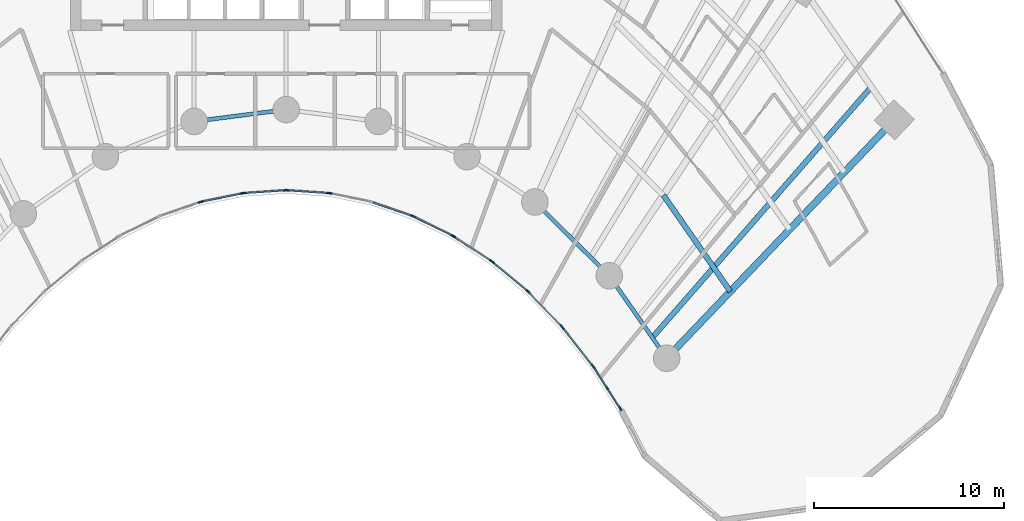
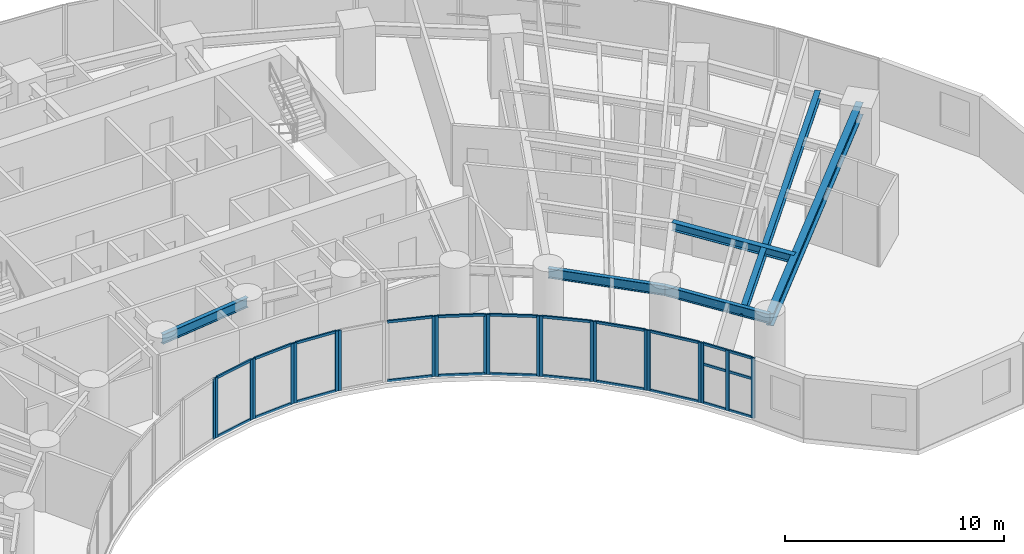
# One storey, part 4 of 17: 46 members, 6 beams, 12 elements without a shape of their own.
"""IFC4 building model written with IfcOpenShell, lengths in metres."""

import ifcopenshell
import ifcopenshell.guid

model = None  # the IFC model being written
_history = None  # IfcOwnerHistory: only IFC2X3 demands one
_inside = {}  # id of a spatial element -> (the spatial element, [elements in it])
_under = {}  # id of a project, library or spatial element -> (it, [spatial elements below it])
_declared = {}  # id of a project -> (the project, [libraries it declares])
_typed = {}  # id of a type object -> (the type object, [elements of that type])
_made_of = {}  # id of a material, layer set ... -> (it, [elements and type objects made of it])


def new_model(schema):
    """Start an empty IFC model of exactly this schema.

    Asked for "IFC4X3", IfcOpenShell would pick the latest addendum, in which some entities
    have other attributes; the version numbers below select the first issue.
    IFC2X3 requires an IfcOwnerHistory on every rooted entity: one is made here for all.
    """
    global model, _history
    if schema == "IFC4X3":
        model = ifcopenshell.file(schema_version=(4, 3, 0, 0))
    else:
        model = ifcopenshell.file(schema=schema)
    _inside.clear()
    _under.clear()
    _declared.clear()
    _typed.clear()
    _made_of.clear()
    _history = None
    if model.schema == "IFC2X3":
        org = make("IfcOrganization", Name="unknown")
        user = make(
            "IfcPersonAndOrganization",
            ThePerson=make("IfcPerson", FamilyName="unknown"),
            TheOrganization=org,
        )
        app = make(
            "IfcApplication",
            ApplicationDeveloper=org,
            Version="unknown",
            ApplicationFullName="unknown",
            ApplicationIdentifier="unknown",
        )
        _history = make(
            "IfcOwnerHistory",
            OwningUser=user,
            OwningApplication=app,
            ChangeAction="ADDED",
            CreationDate=0,
        )
    return model


def make(cls, **values):
    """One entity of the class cls with the attributes given. An attribute that is None is left unset."""
    return model.create_entity(
        cls, **{name: value for name, value in values.items() if value is not None}
    )


def rooted(cls, **values):
    """An entity with a GlobalId (a new one), such as an element, a storey or a relation."""
    return make(cls, GlobalId=ifcopenshell.guid.new(), OwnerHistory=_history, **values)


def si_unit(unit_type, name, prefix=None):
    """IfcSIUnit, for example si_unit("LENGTHUNIT", "METRE", prefix="MILLI")."""
    return make("IfcSIUnit", UnitType=unit_type, Prefix=prefix, Name=name)


def assignment(units):
    """IfcUnitAssignment: the units of a project."""
    return None if units is None else make("IfcUnitAssignment", Units=units)


def point(xyz):
    """IfcCartesianPoint."""
    return None if xyz is None else make("IfcCartesianPoint", Coordinates=xyz)


def direction(xyz):
    """IfcDirection."""
    return None if xyz is None else make("IfcDirection", DirectionRatios=xyz)


def frame(location, z_axis=None, x_axis=None):
    """IfcAxis2Placement3D, a coordinate frame: its origin and axes. An axis left out is left unset."""
    return make(
        "IfcAxis2Placement3D",
        Location=point(location),
        Axis=direction(z_axis),
        RefDirection=direction(x_axis),
    )


def frame_2d(location, x_axis=None):
    """IfcAxis2Placement2D, a coordinate frame in the plane: its origin and x axis."""
    return make(
        "IfcAxis2Placement2D", Location=point(location), RefDirection=direction(x_axis)
    )


def origin():
    """The frame at (0, 0, 0) with its axes left unset."""
    return frame((0.0, 0.0, 0.0))


def origin_2d():
    """The frame at (0, 0) in the plane with its x axis left unset."""
    return frame_2d((0.0, 0.0))


def place(relative_to, where):
    """IfcLocalPlacement: puts the frame where relative to a parent placement (None: the world)."""
    return make(
        "IfcLocalPlacement", PlacementRelTo=relative_to, RelativePlacement=where
    )


def context(
    kind, dimensions, precision=None, world=None, true_north=None, identifier=None
):
    """IfcGeometricRepresentationContext, for example the 3D "Model" context."""
    return make(
        "IfcGeometricRepresentationContext",
        ContextIdentifier=identifier,
        ContextType=kind,
        CoordinateSpaceDimension=dimensions,
        Precision=precision,
        WorldCoordinateSystem=world,
        TrueNorth=true_north,
    )


def subcontext(parent, identifier, kind, view, scale=None):
    """IfcGeometricRepresentationSubContext, for example "Body" below "Model"."""
    return make(
        "IfcGeometricRepresentationSubContext",
        ContextIdentifier=identifier,
        ContextType=kind,
        ParentContext=parent,
        TargetScale=scale,
        TargetView=view,
    )


def project(units=None, contexts=None):
    """IfcProject with its units and contexts."""
    return rooted(
        "IfcProject",
        Name="project",
        RepresentationContexts=contexts,
        UnitsInContext=assignment(units),
    )


def spatial(cls, under=None, at=None, **own):
    """A site, building, storey or space (cls), placed at a placement, below another one or the project."""
    s = rooted(cls, ObjectPlacement=at, **own)
    if under is not None:
        _under.setdefault(under.id(), (under, []))[1].append(s)
    return s


def profile(cls, at=None, kind="AREA", **sizes):
    """A parametric profile (cls). Its sizes go by their IFC names, for example OverallWidth=200.0."""
    return make(cls, ProfileType=kind, Position=at, **sizes)


def rectangle(**sizes):
    """IfcRectangleProfileDef."""
    return profile("IfcRectangleProfileDef", **sizes)


def i_section(**sizes):
    """IfcIShapeProfileDef."""
    return profile("IfcIShapeProfileDef", **sizes)


def extrude(swept, where, along, depth):
    """IfcExtrudedAreaSolid: the profile swept, set in the frame where, extruded along a direction by depth."""
    return make(
        "IfcExtrudedAreaSolid",
        SweptArea=swept,
        Position=where,
        ExtrudedDirection=direction(along),
        Depth=depth,
    )


def shape(context_of_items, identifier, shape_type, items):
    """IfcShapeRepresentation: the items that make up one representation, for example the "Body"."""
    return make(
        "IfcShapeRepresentation",
        ContextOfItems=context_of_items,
        RepresentationIdentifier=identifier,
        RepresentationType=shape_type,
        Items=items,
    )


def source(mapping_origin, context_of_items, identifier, shape_type, items):
    """IfcRepresentationMap: a shape defined once, which mapped items show again and again."""
    return make(
        "IfcRepresentationMap",
        MappingOrigin=mapping_origin,
        MappedRepresentation=shape(context_of_items, identifier, shape_type, items),
    )


def transform(
    local_origin,
    x_axis=None,
    y_axis=None,
    z_axis=None,
    scale=None,
    scale2=None,
    scale3=None,
    uniform=True,
):
    """IfcCartesianTransformationOperator3D, or its non-uniform kind. x_axis, y_axis, z_axis: its Axis1, 2, 3."""
    if uniform:
        return make(
            "IfcCartesianTransformationOperator3D",
            Axis1=direction(x_axis),
            Axis2=direction(y_axis),
            LocalOrigin=point(local_origin),
            Scale=scale,
            Axis3=direction(z_axis),
        )
    return make(
        "IfcCartesianTransformationOperator3DnonUniform",
        Axis1=direction(x_axis),
        Axis2=direction(y_axis),
        LocalOrigin=point(local_origin),
        Scale=scale,
        Axis3=direction(z_axis),
        Scale2=scale2,
        Scale3=scale3,
    )


def mapped(mapping_source, mapping_target):
    """IfcMappedItem: shows the shape of a source again, moved by a transform."""
    return make(
        "IfcMappedItem", MappingSource=mapping_source, MappingTarget=mapping_target
    )


def material(Name=None, Category=None):
    """IfcMaterial."""
    return make("IfcMaterial", Name=Name, Category=Category)


def layer(
    of_material, thickness, ventilated=None, Name=None, Category=None, Priority=None
):
    """IfcMaterialLayer: one layer of a wall or slab, of a material (None: an air gap)."""
    return make(
        "IfcMaterialLayer",
        Material=of_material,
        LayerThickness=thickness,
        IsVentilated=ventilated,
        Name=Name,
        Category=Category,
        Priority=Priority,
    )


def layer_set(layers, Name=None):
    """IfcMaterialLayerSet."""
    return make("IfcMaterialLayerSet", MaterialLayers=layers, LayerSetName=Name)


def material_profile(
    of_material, cross_section, Name=None, Category=None, Priority=None
):
    """IfcMaterialProfile: a cross section and its material."""
    return make(
        "IfcMaterialProfile",
        Name=Name,
        Material=of_material,
        Profile=cross_section,
        Priority=Priority,
        Category=Category,
    )


def profile_set(profiles, Name=None, composite=None):
    """IfcMaterialProfileSet."""
    return make(
        "IfcMaterialProfileSet",
        Name=Name,
        MaterialProfiles=profiles,
        CompositeProfile=composite,
    )


def made_of(thing, what):
    """Note that an element or type object is made of a material, layer set ...; save() writes the relation."""
    if what is not None:
        _made_of.setdefault(what.id(), (what, []))[1].append(thing)
    return thing


def type_object(cls, material=None, **own):
    """A type object (cls), such as IfcWallType, which elements share."""
    return made_of(rooted(cls, **own), material)


def type_shapes(of_type, sources):
    """Give a type object the sources (RepresentationMaps) that its elements show as mapped items."""
    of_type.RepresentationMaps = sources


def element(
    cls,
    number,
    at=None,
    inside=None,
    cuts=None,
    type_object=None,
    material=None,
    context=None,
    identifier="Body",
    shape_type=None,
    held_by="IfcProductDefinitionShape",
    body=None,
    shapes=None,
    **own,
):
    """One element of the class cls, such as IfcWall. Its Tag is "e" and its number.

    at: its placement. inside: the storey or other place that contains it. cuts: it is an
    opening in that element (IfcRelVoidsElement). A single representation is given by context,
    identifier, shape_type and body (its items); several are given by shapes. held_by: the class
    of the entity that holds the representations. save() writes the other relations.
    """
    e = rooted(cls, Tag="e%d" % number, ObjectPlacement=at, **own)
    if body is not None:
        shapes = [shape(context, identifier, shape_type, body)]
    if shapes is not None:
        e.Representation = make(held_by, Representations=shapes)
    if inside is not None:
        _inside.setdefault(inside.id(), (inside, []))[1].append(e)
    if cuts is not None:
        rooted(
            "IfcRelVoidsElement", RelatingBuildingElement=cuts, RelatedOpeningElement=e
        )
    if type_object is not None:
        _typed.setdefault(type_object.id(), (type_object, []))[1].append(e)
    return made_of(e, material)


def aggregate(whole, parts):
    """IfcRelAggregates: a whole, such as a stair, and the parts it consists of."""
    return rooted("IfcRelAggregates", RelatingObject=whole, RelatedObjects=parts)


def save(model, path):
    """Write the relations noted so far, then the file.

    IfcRelAggregates (storeys below a building ...), IfcRelContainedInSpatialStructure (elements
    in a storey), IfcRelDefinesByType, IfcRelAssociatesMaterial and IfcRelDeclares: one each for
    every whole, place, type object, material and project.
    """
    for whole, parts in _under.values():
        aggregate(whole, parts)
    for where, things in _inside.values():
        rooted(
            "IfcRelContainedInSpatialStructure",
            RelatedElements=things,
            RelatingStructure=where,
        )
    for kind, things in _typed.values():
        rooted("IfcRelDefinesByType", RelatedObjects=things, RelatingType=kind)
    for what, things in _made_of.values():
        rooted("IfcRelAssociatesMaterial", RelatedObjects=things, RelatingMaterial=what)
    for by, libraries in _declared.values():
        rooted("IfcRelDeclares", RelatingContext=by, RelatedDefinitions=libraries)
    model.write(path)


model = new_model("IFC4")

# Units and contexts
model_context = context("Model", 3, precision=1e-05, world=origin(), true_north=direction((0.0, 1.0)))
body_context = subcontext(model_context, "Body", "Model", "MODEL_VIEW")
ifc_project = project(units=[si_unit("LENGTHUNIT", "METRE"), si_unit("AREAUNIT", "SQUARE_METRE"), si_unit("VOLUMEUNIT", "CUBIC_METRE"), si_unit("PLANEANGLEUNIT", "RADIAN"), si_unit("MASSUNIT", "GRAM", prefix="KILO")], contexts=[model_context])

# Site, building, storey
site_placement = place(None, origin())
site = spatial("IfcSite", under=ifc_project, at=site_placement, CompositionType="ELEMENT")
building_placement = place(site_placement, origin())
building = spatial("IfcBuilding", under=site, at=building_placement, Name="Breltana Convention Tower", CompositionType="ELEMENT")
storey_placement = place(building_placement, frame((0.0, 0.0, 64.199951171875)))
storey = spatial("IfcBuildingStorey", under=building, at=storey_placement, Name="L14", CompositionType="ELEMENT", Elevation=64.199951171875)

# Beams
ifc_material_1 = material(Name="Steel ASTM A992 Grade 50", Category="steel")
ifc_material_profile_1 = material_profile(ifc_material_1, i_section(OverallWidth=0.35498046875, OverallDepth=0.696044921875, WebThickness=0.015380859375, FlangeThickness=0.02490234375, at=origin_2d()), Name="W27X146")
ifc_profile_set_1 = profile_set([ifc_material_profile_1], Name="Steel ASTM A992 Grade 50")
beam_type_1 = type_object("IfcBeamType", Name="BM-RG-W27X146", PredefinedType="USERDEFINED", material=ifc_profile_set_1)
shared_shape_1 = source(origin(), body_context, "Body", "SweptSolid", [
    extrude(i_section(OverallWidth=0.35498046875, OverallDepth=0.696044921875, WebThickness=0.015380859375, FlangeThickness=0.02490234375, at=origin_2d()), origin(), (0.0, 0.0, 1.0), 17.341064453125),
])
type_shapes(beam_type_1, [shared_shape_1])
beam_1_placement = place(storey_placement, frame((68.015380859375, 42.95458984375, 3.011962890625), z_axis=(0.690716462293, 0.723125693581, 0.0), x_axis=(-0.723125693581, 0.690716462293, 0.0)))
element("IfcBeam", 1, at=beam_1_placement, inside=storey, type_object=beam_type_1, Name="L14 Radial Floor Girder R11", ObjectType="GIRDER", PredefinedType="USERDEFINED", context=body_context, shape_type="MappedRepresentation", body=[
    mapped(shared_shape_1, transform((0.0, 0.0, 0.0), scale=1.0)),
])
ifc_material_profile_2 = material_profile(ifc_material_1, i_section(OverallWidth=0.2099609375, OverallDepth=0.537109375, WebThickness=0.010986328125, FlangeThickness=0.017333984375, at=origin_2d()), Name="W21X68")
ifc_profile_set_2 = profile_set([ifc_material_profile_2], Name="Steel ASTM A992 Grade 50")
beam_type_2 = type_object("IfcBeamType", Name="BM-BM-W21X68", PredefinedType="BEAM", material=ifc_profile_set_2)
shared_shape_2 = source(origin(), body_context, "Body", "SweptSolid", [
    extrude(i_section(OverallWidth=0.2099609375, OverallDepth=0.537109375, WebThickness=0.010986328125, FlangeThickness=0.017333984375, at=origin_2d()), origin(), (0.0, 0.0, 1.0), 4.88671875),
])
beam_2_placement = place(storey_placement, frame((43.153564453125, 55.41064453125, 3.091552734375), z_axis=(0.991780525565, 0.127950729231, 0.0), x_axis=(-0.127950729231, 0.991780525565, 0.0)))
element("IfcBeam", 2, at=beam_2_placement, inside=storey, type_object=beam_type_2, Name="L14 Inner Ring Beam 05", PredefinedType="BEAM", context=body_context, shape_type="MappedRepresentation", body=[
    mapped(shared_shape_2, transform((0.0, 0.0, 0.0), scale=1.0)),
])
shared_shape_3 = source(origin(), body_context, "Body", "SweptSolid", [
    extrude(i_section(OverallWidth=0.2099609375, OverallDepth=0.537109375, WebThickness=0.010986328125, FlangeThickness=0.017333984375, at=origin_2d()), origin(), (0.0, 0.0, 1.0), 5.51171875),
])
beam_3_placement = place(storey_placement, frame((61.08203125, 51.174560546875, 3.091552734375), z_axis=(0.710090360749, -0.704110559196, 0.0), x_axis=(0.704110559196, 0.710090360749, 0.0)))
element("IfcBeam", 3, at=beam_3_placement, inside=storey, type_object=beam_type_2, Name="L14 Inner Ring Beam 09", PredefinedType="BEAM", context=body_context, shape_type="MappedRepresentation", body=[
    mapped(shared_shape_3, transform((0.0, 0.0, 0.0), scale=1.0)),
])
shared_shape_4 = source(origin(), body_context, "Body", "SweptSolid", [
    extrude(i_section(OverallWidth=0.2099609375, OverallDepth=0.537109375, WebThickness=0.010986328125, FlangeThickness=0.017333984375, at=origin_2d()), origin(), (0.0, 0.0, 1.0), 5.286376953125),
])
beam_4_placement = place(storey_placement, frame((64.995849609375, 47.293701171875, 3.091552734375), z_axis=(0.571194382458, -0.82081482531, 0.0), x_axis=(0.82081482531, 0.571194382458, 0.0)))
element("IfcBeam", 4, at=beam_4_placement, inside=storey, type_object=beam_type_2, Name="L14 Inner Ring Beam 10", PredefinedType="BEAM", context=body_context, shape_type="MappedRepresentation", body=[
    mapped(shared_shape_4, transform((0.0, 0.0, 0.0), scale=1.0)),
])
ifc_material_profile_3 = material_profile(ifc_material_1, i_section(OverallWidth=0.280029296875, OverallDepth=0.462890625, WebThickness=0.0107421875, FlangeThickness=0.017333984375, at=origin_2d()), Name="W18X76")
ifc_profile_set_3 = profile_set([ifc_material_profile_3], Name="Steel ASTM A992 Grade 50")
beam_type_3 = type_object("IfcBeamType", Name="BM-JSG-06", PredefinedType="JOIST", material=ifc_profile_set_3)
shared_shape_5 = source(origin(), body_context, "Body", "SweptSolid", [
    extrude(i_section(OverallWidth=0.280029296875, OverallDepth=0.462890625, WebThickness=0.0107421875, FlangeThickness=0.017333984375, at=origin_2d()), origin(), (0.0, 0.0, 1.0), 6.172119140625),
])
beam_5_placement = place(storey_placement, frame((67.84375, 51.531982421875, 3.128662109375), z_axis=(0.571211663392, -0.820802799462, 0.0), x_axis=(0.820802799462, 0.571211663392, 0.0)))
element("IfcBeam", 5, at=beam_5_placement, inside=storey, type_object=beam_type_3, Name="L14 Composite Floor Joist 10.1", PredefinedType="JOIST", context=body_context, shape_type="MappedRepresentation", body=[
    mapped(shared_shape_5, transform((0.0, 0.0, 0.0), scale=1.0)),
])
shared_shape_6 = source(origin(), body_context, "Body", "SweptSolid", [
    extrude(i_section(OverallWidth=0.280029296875, OverallDepth=0.462890625, WebThickness=0.0107421875, FlangeThickness=0.017333984375, at=origin_2d()), origin(), (0.0, 0.0, 1.0), 17.515625),
])
beam_6_placement = place(storey_placement, frame((67.260498046875, 44.03955078125, 3.128662109375), z_axis=(0.658051548324, 0.752972881151, 0.0), x_axis=(-0.752972881151, 0.658051548324, 0.0)))
element("IfcBeam", 6, at=beam_6_placement, inside=storey, type_object=beam_type_3, Name="L14 Quarter-Bay Radial Trimmer 10", PredefinedType="JOIST", context=body_context, shape_type="MappedRepresentation", body=[
    mapped(shared_shape_6, transform((0.0, 0.0, 0.0), scale=1.0)),
])

# Curtain wall, members
ifc_material_2 = material(Name="Aluminium Anodised Bronze Frame", Category="aluminium")
ifc_layer = layer(ifc_material_2, 0.18994140625, Name="Aluminium Anodised Bronze Frame")
ifc_layer_set = layer_set([ifc_layer], Name="Aluminium Anodised Bronze Frame")
curtain_wall_type = type_object("IfcCurtainWallType", Name="CW-SYS-1", PredefinedType="NOTDEFINED", material=ifc_layer_set)
curtain_wall_1_placement = place(storey_placement, origin())
curtain_wall_1 = element("IfcCurtainWall", 7, at=curtain_wall_1_placement, inside=storey, type_object=curtain_wall_type, Name="L14 inner south-court glazing 3", PredefinedType="NOTDEFINED")
ifc_material_3 = material(Name="Aluminium Anodised Bronze", Category="aluminium")
ifc_material_profile_4 = material_profile(ifc_material_3, rectangle(XDim=0.080078125, YDim=0.139892578125, at=origin_2d()), Name="CWT-80X140")
ifc_profile_set_4 = profile_set([ifc_material_profile_4], Name="Aluminium Anodised Bronze")
member_type_1 = type_object("IfcMemberType", Name="CWT-140", PredefinedType="USERDEFINED", material=ifc_profile_set_4)
shared_shape_7 = source(origin(), body_context, "Body", "SweptSolid", [
    extrude(rectangle(XDim=0.080078125, YDim=0.139892578125, at=origin_2d()), origin(), (0.0, 0.0, 1.0), 2.38720703125),
])
type_shapes(member_type_1, [shared_shape_7])
member_1_placement = place(storey_placement, frame((62.4560546875, 44.667724609375, 0.0400390625), z_axis=(-0.694623715393, 0.719373264734, 0.0), x_axis=(-0.719373264734, -0.694623715393, 0.0)))
member_1 = element("IfcMember", 8, at=member_1_placement, type_object=member_type_1, Name="CW-01 transom 1.1", ObjectType="TRANSOM", PredefinedType="USERDEFINED", context=body_context, shape_type="MappedRepresentation", body=[
    mapped(shared_shape_7, transform((0.0, 0.0, 0.0), scale=1.0)),
])
member_2_placement = place(storey_placement, frame((62.4560546875, 44.667724609375, 3.320068359375), z_axis=(-0.694623715393, 0.719373264734, 0.0), x_axis=(-0.719373264734, -0.694623715393, 0.0)))
member_2 = element("IfcMember", 9, at=member_2_placement, type_object=member_type_1, Name="CW-01 transom 1.2", ObjectType="TRANSOM", PredefinedType="USERDEFINED", context=body_context, shape_type="MappedRepresentation", body=[
    mapped(shared_shape_7, transform((0.0, 0.0, 0.0), scale=1.0)),
])

curtain_wall_2_placement = place(storey_placement, origin())
curtain_wall_2 = element("IfcCurtainWall", 10, at=curtain_wall_2_placement, inside=storey, type_object=curtain_wall_type, Name="L14 inner south-court glazing 4", PredefinedType="NOTDEFINED")
shared_shape_8 = source(origin(), body_context, "Body", "SweptSolid", [
    extrude(rectangle(XDim=0.080078125, YDim=0.139892578125, at=origin_2d()), origin(), (0.0, 0.0, 1.0), 2.312255859375),
])
member_3_placement = place(storey_placement, frame((60.666748046875, 46.5068359375, 0.0400390625), z_axis=(-0.767900974507, 0.640568570374, 0.0), x_axis=(-0.640568570374, -0.767900974507, 0.0)))
member_3 = element("IfcMember", 11, at=member_3_placement, type_object=member_type_1, Name="CW-01 transom 1.1", ObjectType="TRANSOM", PredefinedType="USERDEFINED", context=body_context, shape_type="MappedRepresentation", body=[
    mapped(shared_shape_8, transform((0.0, 0.0, 0.0), scale=1.0)),
])
member_4_placement = place(storey_placement, frame((60.666748046875, 46.5068359375, 3.320068359375), z_axis=(-0.767900974507, 0.640568570374, 0.0), x_axis=(-0.640568570374, -0.767900974507, 0.0)))
member_4 = element("IfcMember", 12, at=member_4_placement, type_object=member_type_1, Name="CW-01 transom 1.2", ObjectType="TRANSOM", PredefinedType="USERDEFINED", context=body_context, shape_type="MappedRepresentation", body=[
    mapped(shared_shape_8, transform((0.0, 0.0, 0.0), scale=1.0)),
])

curtain_wall_3_placement = place(storey_placement, origin())
curtain_wall_3 = element("IfcCurtainWall", 13, at=curtain_wall_3_placement, inside=storey, type_object=curtain_wall_type, Name="L14 inner south-court glazing 5", PredefinedType="NOTDEFINED")
shared_shape_9 = source(origin(), body_context, "Body", "SweptSolid", [
    extrude(rectangle(XDim=0.080078125, YDim=0.139892578125, at=origin_2d()), origin(), (0.0, 0.0, 1.0), 2.2421875),
])
member_5_placement = place(storey_placement, frame((58.746337890625, 48.095458984375, 0.0400390625), z_axis=(-0.835982353773, 0.548756324957, 0.0), x_axis=(-0.548756324957, -0.835982353773, 0.0)))
member_5 = element("IfcMember", 14, at=member_5_placement, type_object=member_type_1, Name="CW-01 transom 1.1", ObjectType="TRANSOM", PredefinedType="USERDEFINED", context=body_context, shape_type="MappedRepresentation", body=[
    mapped(shared_shape_9, transform((0.0, 0.0, 0.0), scale=1.0)),
])
member_6_placement = place(storey_placement, frame((58.746337890625, 48.095458984375, 3.320068359375), z_axis=(-0.835982353773, 0.548756324957, 0.0), x_axis=(-0.548756324957, -0.835982353773, 0.0)))
member_6 = element("IfcMember", 15, at=member_6_placement, type_object=member_type_1, Name="CW-01 transom 1.2", ObjectType="TRANSOM", PredefinedType="USERDEFINED", context=body_context, shape_type="MappedRepresentation", body=[
    mapped(shared_shape_9, transform((0.0, 0.0, 0.0), scale=1.0)),
])

curtain_wall_4_placement = place(storey_placement, origin())
curtain_wall_4 = element("IfcCurtainWall", 16, at=curtain_wall_4_placement, inside=storey, type_object=curtain_wall_type, Name="L14 inner south-court glazing 6", PredefinedType="NOTDEFINED")
shared_shape_10 = source(origin(), body_context, "Body", "SweptSolid", [
    extrude(rectangle(XDim=0.080078125, YDim=0.139892578125, at=origin_2d()), origin(), (0.0, 0.0, 1.0), 2.180908203125),
])
member_7_placement = place(storey_placement, frame((56.71435546875, 49.416015625, 0.0400390625), z_axis=(-0.895922266369, 0.444210865045, 0.0), x_axis=(-0.444210865045, -0.895922266369, 0.0)))
member_7 = element("IfcMember", 17, at=member_7_placement, type_object=member_type_1, Name="CW-01 transom 1.1", ObjectType="TRANSOM", PredefinedType="USERDEFINED", context=body_context, shape_type="MappedRepresentation", body=[
    mapped(shared_shape_10, transform((0.0, 0.0, 0.0), scale=1.0)),
])
member_8_placement = place(storey_placement, frame((56.71435546875, 49.416015625, 3.320068359375), z_axis=(-0.895922266369, 0.444210865045, 0.0), x_axis=(-0.444210865045, -0.895922266369, 0.0)))
member_8 = element("IfcMember", 18, at=member_8_placement, type_object=member_type_1, Name="CW-01 transom 1.2", ObjectType="TRANSOM", PredefinedType="USERDEFINED", context=body_context, shape_type="MappedRepresentation", body=[
    mapped(shared_shape_10, transform((0.0, 0.0, 0.0), scale=1.0)),
])

curtain_wall_5_placement = place(storey_placement, origin())
curtain_wall_5 = element("IfcCurtainWall", 19, at=curtain_wall_5_placement, inside=storey, type_object=curtain_wall_type, Name="L14 inner south-court glazing 9", PredefinedType="NOTDEFINED")
shared_shape_11 = source(origin(), body_context, "Body", "SweptSolid", [
    extrude(rectangle(XDim=0.080078125, YDim=0.139892578125, at=origin_2d()), origin(), (0.0, 0.0, 1.0), 2.07861328125),
])
member_9_placement = place(storey_placement, frame((50.165771484375, 51.6474609375, 0.0400390625), z_axis=(-0.997708627147, 0.067657189691, 0.0), x_axis=(-0.067657189691, -0.997708627147, 0.0)))
member_9 = element("IfcMember", 20, at=member_9_placement, type_object=member_type_1, Name="CW-01 transom 1.1", ObjectType="TRANSOM", PredefinedType="USERDEFINED", context=body_context, shape_type="MappedRepresentation", body=[
    mapped(shared_shape_11, transform((0.0, 0.0, 0.0), scale=1.0)),
])
member_10_placement = place(storey_placement, frame((50.165771484375, 51.6474609375, 3.320068359375), z_axis=(-0.997708627147, 0.067657189691, 0.0), x_axis=(-0.067657189691, -0.997708627147, 0.0)))
member_10 = element("IfcMember", 21, at=member_10_placement, type_object=member_type_1, Name="CW-01 transom 1.2", ObjectType="TRANSOM", PredefinedType="USERDEFINED", context=body_context, shape_type="MappedRepresentation", body=[
    mapped(shared_shape_11, transform((0.0, 0.0, 0.0), scale=1.0)),
])

curtain_wall_6_placement = place(storey_placement, origin())
curtain_wall_6 = element("IfcCurtainWall", 22, at=curtain_wall_6_placement, inside=storey, type_object=curtain_wall_type, Name="L14 inner south-court glazing 10", PredefinedType="NOTDEFINED")
member_11_placement = place(storey_placement, frame((47.907958984375, 51.7880859375, 0.0400390625), z_axis=(-0.997708627147, -0.067657189691, 0.0), x_axis=(0.067657189691, -0.997708627147, 0.0)))
member_11 = element("IfcMember", 23, at=member_11_placement, type_object=member_type_1, Name="CW-01 transom 1.1", ObjectType="TRANSOM", PredefinedType="USERDEFINED", context=body_context, shape_type="MappedRepresentation", body=[
    mapped(shared_shape_11, transform((0.0, 0.0, 0.0), scale=1.0)),
])
member_12_placement = place(storey_placement, frame((47.907958984375, 51.7880859375, 3.320068359375), z_axis=(-0.997708627147, -0.067657189691, 0.0), x_axis=(0.067657189691, -0.997708627147, 0.0)))
member_12 = element("IfcMember", 24, at=member_12_placement, type_object=member_type_1, Name="CW-01 transom 1.2", ObjectType="TRANSOM", PredefinedType="USERDEFINED", context=body_context, shape_type="MappedRepresentation", body=[
    mapped(shared_shape_11, transform((0.0, 0.0, 0.0), scale=1.0)),
])

curtain_wall_7_placement = place(storey_placement, origin())
curtain_wall_7 = element("IfcCurtainWall", 25, at=curtain_wall_7_placement, inside=storey, type_object=curtain_wall_type, Name="L14 inner south-court glazing 2", PredefinedType="NOTDEFINED")
shared_shape_12 = source(origin(), body_context, "Body", "SweptSolid", [
    extrude(rectangle(XDim=0.080078125, YDim=0.139892578125, at=origin_2d()), origin(), (0.0, 0.0, 1.0), 2.4638671875),
])
member_13_placement = place(storey_placement, frame((64.09619140625, 42.5966796875, 0.0400390625), z_axis=(-0.618184689608, 0.786032880695, 0.0), x_axis=(-0.786032880695, -0.618184689608, 0.0)))
member_13 = element("IfcMember", 26, at=member_13_placement, type_object=member_type_1, Name="CW-01 transom 1.1", ObjectType="TRANSOM", PredefinedType="USERDEFINED", context=body_context, shape_type="MappedRepresentation", body=[
    mapped(shared_shape_12, transform((0.0, 0.0, 0.0), scale=1.0)),
])
member_14_placement = place(storey_placement, frame((64.09619140625, 42.5966796875, 3.320068359375), z_axis=(-0.618184689608, 0.786032880695, 0.0), x_axis=(-0.786032880695, -0.618184689608, 0.0)))
member_14 = element("IfcMember", 27, at=member_14_placement, type_object=member_type_1, Name="CW-01 transom 1.2", ObjectType="TRANSOM", PredefinedType="USERDEFINED", context=body_context, shape_type="MappedRepresentation", body=[
    mapped(shared_shape_12, transform((0.0, 0.0, 0.0), scale=1.0)),
])

curtain_wall_8_placement = place(storey_placement, origin())
curtain_wall_8 = element("IfcCurtainWall", 28, at=curtain_wall_8_placement, inside=storey, type_object=curtain_wall_type, Name="L14 inner south-court glazing 1", PredefinedType="NOTDEFINED")
ifc_material_profile_5 = material_profile(ifc_material_3, rectangle(XDim=0.080078125, YDim=0.199951171875, at=origin_2d()), Name="CWM-80X200")
ifc_profile_set_5 = profile_set([ifc_material_profile_5], Name="Aluminium Anodised Bronze")
member_type_2 = type_object("IfcMemberType", Name="CWM-200", PredefinedType="MULLION", material=ifc_profile_set_5)
shared_shape_13 = source(origin(), body_context, "Body", "SweptSolid", [
    extrude(rectangle(XDim=0.080078125, YDim=0.199951171875, at=origin_2d()), origin(), (0.0, 0.0, 1.0), 3.360107421875),
])
member_15_placement = place(storey_placement, frame((65.59228515625, 40.281494140625, 0.0), z_axis=(0.0, 0.0, 1.0), x_axis=(-0.841556194767, -0.540169576197, 0.0)))
member_15 = element("IfcMember", 29, at=member_15_placement, type_object=member_type_2, Name="CW-01 mullion 1", PredefinedType="MULLION", context=body_context, shape_type="MappedRepresentation", body=[
    mapped(shared_shape_13, transform((0.0, 0.0, 0.0), scale=1.0)),
])
member_16_placement = place(storey_placement, frame((64.884765625, 41.3837890625, 0.0), z_axis=(0.0, 0.0, 1.0), x_axis=(-0.841556194767, -0.540169576197, 0.0)))
member_16 = element("IfcMember", 30, at=member_16_placement, type_object=member_type_2, Name="CW-01 mullion 2", PredefinedType="MULLION", context=body_context, shape_type="MappedRepresentation", body=[
    mapped(shared_shape_13, transform((0.0, 0.0, 0.0), scale=1.0)),
])
member_17_placement = place(storey_placement, frame((64.17724609375, 42.48583984375, 0.0), z_axis=(0.0, 0.0, 1.0), x_axis=(-0.841556194767, -0.540169576197, 0.0)))
member_17 = element("IfcMember", 31, at=member_17_placement, type_object=member_type_2, Name="CW-01 mullion 3", PredefinedType="MULLION", context=body_context, shape_type="MappedRepresentation", body=[
    mapped(shared_shape_13, transform((0.0, 0.0, 0.0), scale=1.0)),
])

# Member
member_18_placement = place(storey_placement, frame((64.12109375, 42.565185546875, 0.0), z_axis=(0.0, 0.0, 1.0), x_axis=(-0.786057762734, -0.61815305034, 0.0)))
member_18 = element("IfcMember", 32, at=member_18_placement, type_object=member_type_2, Name="CW-01 mullion 1", PredefinedType="MULLION", context=body_context, shape_type="MappedRepresentation", body=[
    mapped(shared_shape_13, transform((0.0, 0.0, 0.0), scale=1.0)),
])

member_19_placement = place(storey_placement, frame((62.54833984375, 44.56494140625, 0.0), z_axis=(0.0, 0.0, 1.0), x_axis=(-0.786057762734, -0.61815305034, 0.0)))
member_19 = element("IfcMember", 33, at=member_19_placement, type_object=member_type_2, Name="CW-01 mullion 2", PredefinedType="MULLION", context=body_context, shape_type="MappedRepresentation", body=[
    mapped(shared_shape_13, transform((0.0, 0.0, 0.0), scale=1.0)),
])

aggregate(curtain_wall_7, [member_18, member_19, member_13, member_14])

member_20_placement = place(storey_placement, frame((62.48388671875, 44.638916015625, 0.0), z_axis=(0.0, 0.0, 1.0), x_axis=(-0.719384548773, -0.694612029111, 0.0)))
member_20 = element("IfcMember", 34, at=member_20_placement, type_object=member_type_2, Name="CW-01 mullion 1", PredefinedType="MULLION", context=body_context, shape_type="MappedRepresentation", body=[
    mapped(shared_shape_13, transform((0.0, 0.0, 0.0), scale=1.0)),
])

member_21_placement = place(storey_placement, frame((60.77001953125, 46.413818359375, 0.0), z_axis=(0.0, 0.0, 1.0), x_axis=(-0.719384548773, -0.694612029111, 0.0)))
member_21 = element("IfcMember", 35, at=member_21_placement, type_object=member_type_2, Name="CW-01 mullion 2", PredefinedType="MULLION", context=body_context, shape_type="MappedRepresentation", body=[
    mapped(shared_shape_13, transform((0.0, 0.0, 0.0), scale=1.0)),
])

aggregate(curtain_wall_1, [member_20, member_21, member_1, member_2])

member_22_placement = place(storey_placement, frame((60.697265625, 46.481201171875, 0.0), z_axis=(0.0, 0.0, 1.0), x_axis=(-0.640522524458, -0.767939382804, 0.0)))
member_22 = element("IfcMember", 36, at=member_22_placement, type_object=member_type_2, Name="CW-01 mullion 1", PredefinedType="MULLION", context=body_context, shape_type="MappedRepresentation", body=[
    mapped(shared_shape_13, transform((0.0, 0.0, 0.0), scale=1.0)),
])

member_23_placement = place(storey_placement, frame((58.8603515625, 48.013671875, 0.0), z_axis=(0.0, 0.0, 1.0), x_axis=(-0.640522524458, -0.767939382804, 0.0)))
member_23 = element("IfcMember", 37, at=member_23_placement, type_object=member_type_2, Name="CW-01 mullion 2", PredefinedType="MULLION", context=body_context, shape_type="MappedRepresentation", body=[
    mapped(shared_shape_13, transform((0.0, 0.0, 0.0), scale=1.0)),
])

aggregate(curtain_wall_2, [member_22, member_23, member_3, member_4])

member_24_placement = place(storey_placement, frame((58.779541015625, 48.073486328125, 0.0), z_axis=(0.0, 0.0, 1.0), x_axis=(-0.548778278441, -0.835967942634, 0.0)))
member_24 = element("IfcMember", 38, at=member_24_placement, type_object=member_type_2, Name="CW-01 mullion 1", PredefinedType="MULLION", context=body_context, shape_type="MappedRepresentation", body=[
    mapped(shared_shape_13, transform((0.0, 0.0, 0.0), scale=1.0)),
])

member_25_placement = place(storey_placement, frame((56.83837890625, 49.347900390625, 0.0), z_axis=(0.0, 0.0, 1.0), x_axis=(-0.548778278441, -0.835967942634, 0.0)))
member_25 = element("IfcMember", 39, at=member_25_placement, type_object=member_type_2, Name="CW-01 mullion 2", PredefinedType="MULLION", context=body_context, shape_type="MappedRepresentation", body=[
    mapped(shared_shape_13, transform((0.0, 0.0, 0.0), scale=1.0)),
])

aggregate(curtain_wall_3, [member_24, member_25, member_5, member_6])

member_26_placement = place(storey_placement, frame((56.750244140625, 49.3984375, 0.0), z_axis=(0.0, 0.0, 1.0), x_axis=(-0.444117987602, -0.895968310315, 0.0)))
member_26 = element("IfcMember", 40, at=member_26_placement, type_object=member_type_2, Name="CW-01 mullion 1", PredefinedType="MULLION", context=body_context, shape_type="MappedRepresentation", body=[
    mapped(shared_shape_13, transform((0.0, 0.0, 0.0), scale=1.0)),
])

member_27_placement = place(storey_placement, frame((54.724609375, 50.40234375, 0.0), z_axis=(0.0, 0.0, 1.0), x_axis=(-0.444117987602, -0.895968310315, 0.0)))
member_27 = element("IfcMember", 41, at=member_27_placement, type_object=member_type_2, Name="CW-01 mullion 2", PredefinedType="MULLION", context=body_context, shape_type="MappedRepresentation", body=[
    mapped(shared_shape_13, transform((0.0, 0.0, 0.0), scale=1.0)),
])

aggregate(curtain_wall_4, [member_26, member_27, member_7, member_8])

# Curtain wall, member
curtain_wall_9_placement = place(storey_placement, origin())
curtain_wall_9 = element("IfcCurtainWall", 42, at=curtain_wall_9_placement, inside=storey, type_object=curtain_wall_type, Name="L14 inner south-court glazing 7", PredefinedType="NOTDEFINED")
member_28_placement = place(storey_placement, frame((54.6298828125, 50.442138671875, 0.0), z_axis=(0.0, 0.0, 1.0), x_axis=(-0.327413341714, -0.944881211406, 0.0)))
member_28 = element("IfcMember", 43, at=member_28_placement, type_object=member_type_2, Name="CW-01 mullion 1", PredefinedType="MULLION", context=body_context, shape_type="MappedRepresentation", body=[
    mapped(shared_shape_13, transform((0.0, 0.0, 0.0), scale=1.0)),
])

curtain_wall_10_placement = place(storey_placement, origin())
curtain_wall_10 = element("IfcCurtainWall", 44, at=curtain_wall_10_placement, inside=storey, type_object=curtain_wall_type, Name="L14 inner south-court glazing 8", PredefinedType="NOTDEFINED")
member_29_placement = place(storey_placement, frame((50.30859375, 51.630615234375, 0.0), z_axis=(0.0, 0.0, 1.0), x_axis=(-0.200886350278, -0.97961455393, 0.0)))
member_29 = element("IfcMember", 45, at=member_29_placement, type_object=member_type_2, Name="CW-01 mullion 2", PredefinedType="MULLION", context=body_context, shape_type="MappedRepresentation", body=[
    mapped(shared_shape_13, transform((0.0, 0.0, 0.0), scale=1.0)),
])
aggregate(curtain_wall_10, [member_29])

# Member
member_30_placement = place(storey_placement, frame((50.20556640625, 51.644775390625, 0.0), z_axis=(0.0, 0.0, 1.0), x_axis=(-0.067725752326, -0.997703975371, 0.0)))
member_30 = element("IfcMember", 46, at=member_30_placement, type_object=member_type_2, Name="CW-01 mullion 1", PredefinedType="MULLION", context=body_context, shape_type="MappedRepresentation", body=[
    mapped(shared_shape_13, transform((0.0, 0.0, 0.0), scale=1.0)),
])

member_31_placement = place(storey_placement, frame((48.052001953125, 51.790771484375, 0.0), z_axis=(0.0, 0.0, 1.0), x_axis=(-0.067725752326, -0.997703975371, 0.0)))
member_31 = element("IfcMember", 47, at=member_31_placement, type_object=member_type_2, Name="CW-01 mullion 2", PredefinedType="MULLION", context=body_context, shape_type="MappedRepresentation", body=[
    mapped(shared_shape_13, transform((0.0, 0.0, 0.0), scale=1.0)),
])

aggregate(curtain_wall_5, [member_30, member_31, member_9, member_10])

member_32_placement = place(storey_placement, frame((47.947998046875, 51.790771484375, 0.0), z_axis=(0.0, 0.0, 1.0), x_axis=(0.067725752326, -0.997703975371, 0.0)))
member_32 = element("IfcMember", 48, at=member_32_placement, type_object=member_type_2, Name="CW-01 mullion 1", PredefinedType="MULLION", context=body_context, shape_type="MappedRepresentation", body=[
    mapped(shared_shape_13, transform((0.0, 0.0, 0.0), scale=1.0)),
])

member_33_placement = place(storey_placement, frame((45.79443359375, 51.644775390625, 0.0), z_axis=(0.0, 0.0, 1.0), x_axis=(0.067725752326, -0.997703975371, 0.0)))
member_33 = element("IfcMember", 49, at=member_33_placement, type_object=member_type_2, Name="CW-01 mullion 2", PredefinedType="MULLION", context=body_context, shape_type="MappedRepresentation", body=[
    mapped(shared_shape_13, transform((0.0, 0.0, 0.0), scale=1.0)),
])

aggregate(curtain_wall_6, [member_32, member_33, member_11, member_12])

# Curtain wall, members
curtain_wall_11_placement = place(storey_placement, origin())
curtain_wall_11 = element("IfcCurtainWall", 50, at=curtain_wall_11_placement, inside=storey, type_object=curtain_wall_type, Name="L14 inner south-court glazing 11", PredefinedType="NOTDEFINED")
member_34_placement = place(storey_placement, frame((45.69140625, 51.630615234375, 0.0), z_axis=(0.0, 0.0, 1.0), x_axis=(0.200886350278, -0.97961455393, 0.0)))
member_34 = element("IfcMember", 51, at=member_34_placement, type_object=member_type_2, Name="CW-01 mullion 1", PredefinedType="MULLION", context=body_context, shape_type="MappedRepresentation", body=[
    mapped(shared_shape_13, transform((0.0, 0.0, 0.0), scale=1.0)),
])
member_35_placement = place(storey_placement, frame((43.55908203125, 51.193359375, 0.0), z_axis=(0.0, 0.0, 1.0), x_axis=(0.200886350278, -0.97961455393, 0.0)))
member_35 = element("IfcMember", 52, at=member_35_placement, type_object=member_type_2, Name="CW-01 mullion 2", PredefinedType="MULLION", context=body_context, shape_type="MappedRepresentation", body=[
    mapped(shared_shape_13, transform((0.0, 0.0, 0.0), scale=1.0)),
])

# Curtain wall, member
curtain_wall_12_placement = place(storey_placement, origin())
curtain_wall_12 = element("IfcCurtainWall", 53, at=curtain_wall_12_placement, inside=storey, type_object=curtain_wall_type, Name="L14 inner south-court glazing 12", PredefinedType="NOTDEFINED")
member_36_placement = place(storey_placement, frame((43.45947265625, 51.166015625, 0.0), z_axis=(0.0, 0.0, 1.0), x_axis=(0.327413341714, -0.944881211406, 0.0)))
member_36 = element("IfcMember", 54, at=member_36_placement, type_object=member_type_2, Name="CW-01 mullion 1", PredefinedType="MULLION", context=body_context, shape_type="MappedRepresentation", body=[
    mapped(shared_shape_13, transform((0.0, 0.0, 0.0), scale=1.0)),
])
aggregate(curtain_wall_12, [member_36])

# Member
shared_shape_14 = source(origin(), body_context, "Body", "SweptSolid", [
    extrude(rectangle(XDim=0.080078125, YDim=0.139892578125, at=origin_2d()), origin(), (0.0, 0.0, 1.0), 1.229736328125),
])
member_37_placement = place(storey_placement, frame((65.57080078125, 40.315185546875, 0.0400390625), z_axis=(-0.540185543357, 0.841545945714, 0.0), x_axis=(-0.841545945714, -0.540185543357, 0.0)))
member_37 = element("IfcMember", 55, at=member_37_placement, type_object=member_type_1, Name="CW-01 transom 1.1", ObjectType="TRANSOM", PredefinedType="USERDEFINED", context=body_context, shape_type="MappedRepresentation", body=[
    mapped(shared_shape_14, transform((0.0, 0.0, 0.0), scale=1.0)),
])

member_38_placement = place(storey_placement, frame((65.57080078125, 40.315185546875, 2.18408203125), z_axis=(-0.540185543357, 0.841545945714, 0.0), x_axis=(-0.841545945714, -0.540185543357, 0.0)))
member_38 = element("IfcMember", 56, at=member_38_placement, type_object=member_type_1, Name="CW-01 transom 1.2", ObjectType="TRANSOM", PredefinedType="USERDEFINED", context=body_context, shape_type="MappedRepresentation", body=[
    mapped(shared_shape_14, transform((0.0, 0.0, 0.0), scale=1.0)),
])

member_39_placement = place(storey_placement, frame((65.57080078125, 40.315185546875, 3.320068359375), z_axis=(-0.540185543357, 0.841545945714, 0.0), x_axis=(-0.841545945714, -0.540185543357, 0.0)))
member_39 = element("IfcMember", 57, at=member_39_placement, type_object=member_type_1, Name="CW-01 transom 1.3", ObjectType="TRANSOM", PredefinedType="USERDEFINED", context=body_context, shape_type="MappedRepresentation", body=[
    mapped(shared_shape_14, transform((0.0, 0.0, 0.0), scale=1.0)),
])

member_40_placement = place(storey_placement, frame((64.86328125, 41.41748046875, 0.0400390625), z_axis=(-0.540185543357, 0.841545945714, 0.0), x_axis=(-0.841545945714, -0.540185543357, 0.0)))
member_40 = element("IfcMember", 58, at=member_40_placement, type_object=member_type_1, Name="CW-01 transom 2.1", ObjectType="TRANSOM", PredefinedType="USERDEFINED", context=body_context, shape_type="MappedRepresentation", body=[
    mapped(shared_shape_14, transform((0.0, 0.0, 0.0), scale=1.0)),
])

member_41_placement = place(storey_placement, frame((64.86328125, 41.41748046875, 2.18408203125), z_axis=(-0.540185543357, 0.841545945714, 0.0), x_axis=(-0.841545945714, -0.540185543357, 0.0)))
member_41 = element("IfcMember", 59, at=member_41_placement, type_object=member_type_1, Name="CW-01 transom 2.2", ObjectType="TRANSOM", PredefinedType="USERDEFINED", context=body_context, shape_type="MappedRepresentation", body=[
    mapped(shared_shape_14, transform((0.0, 0.0, 0.0), scale=1.0)),
])

member_42_placement = place(storey_placement, frame((64.86328125, 41.41748046875, 3.320068359375), z_axis=(-0.540185543357, 0.841545945714, 0.0), x_axis=(-0.841545945714, -0.540185543357, 0.0)))
member_42 = element("IfcMember", 60, at=member_42_placement, type_object=member_type_1, Name="CW-01 transom 2.3", ObjectType="TRANSOM", PredefinedType="USERDEFINED", context=body_context, shape_type="MappedRepresentation", body=[
    mapped(shared_shape_14, transform((0.0, 0.0, 0.0), scale=1.0)),
])

aggregate(curtain_wall_8, [member_15, member_16, member_17, member_37, member_38, member_39, member_40, member_41, member_42])

shared_shape_15 = source(origin(), body_context, "Body", "SweptSolid", [
    extrude(rectangle(XDim=0.080078125, YDim=0.139892578125, at=origin_2d()), origin(), (0.0, 0.0, 1.0), 2.131103515625),
])
member_43_placement = place(storey_placement, frame((54.592041015625, 50.455078125, 0.0400390625), z_axis=(-0.944847069856, 0.327511854112, 0.0), x_axis=(-0.327511854112, -0.944847069856, 0.0)))
member_43 = element("IfcMember", 61, at=member_43_placement, type_object=member_type_1, Name="CW-01 transom 1.1", ObjectType="TRANSOM", PredefinedType="USERDEFINED", context=body_context, shape_type="MappedRepresentation", body=[
    mapped(shared_shape_15, transform((0.0, 0.0, 0.0), scale=1.0)),
])

member_44_placement = place(storey_placement, frame((54.592041015625, 50.455078125, 3.320068359375), z_axis=(-0.944847069856, 0.327511854112, 0.0), x_axis=(-0.327511854112, -0.944847069856, 0.0)))
member_44 = element("IfcMember", 62, at=member_44_placement, type_object=member_type_1, Name="CW-01 transom 1.2", ObjectType="TRANSOM", PredefinedType="USERDEFINED", context=body_context, shape_type="MappedRepresentation", body=[
    mapped(shared_shape_15, transform((0.0, 0.0, 0.0), scale=1.0)),
])

aggregate(curtain_wall_9, [member_28, member_43, member_44])

shared_shape_16 = source(origin(), body_context, "Body", "SweptSolid", [
    extrude(rectangle(XDim=0.080078125, YDim=0.139892578125, at=origin_2d()), origin(), (0.0, 0.0, 1.0), 2.096435546875),
])
member_45_placement = place(storey_placement, frame((45.652099609375, 51.62255859375, 0.0400390625), z_axis=(-0.979615042233, -0.200883969074, 0.0), x_axis=(0.200883969074, -0.979615042233, 0.0)))
member_45 = element("IfcMember", 63, at=member_45_placement, type_object=member_type_1, Name="CW-01 transom 1.1", ObjectType="TRANSOM", PredefinedType="USERDEFINED", context=body_context, shape_type="MappedRepresentation", body=[
    mapped(shared_shape_16, transform((0.0, 0.0, 0.0), scale=1.0)),
])

member_46_placement = place(storey_placement, frame((45.652099609375, 51.62255859375, 3.320068359375), z_axis=(-0.979615042233, -0.200883969074, 0.0), x_axis=(0.200883969074, -0.979615042233, 0.0)))
member_46 = element("IfcMember", 64, at=member_46_placement, type_object=member_type_1, Name="CW-01 transom 1.2", ObjectType="TRANSOM", PredefinedType="USERDEFINED", context=body_context, shape_type="MappedRepresentation", body=[
    mapped(shared_shape_16, transform((0.0, 0.0, 0.0), scale=1.0)),
])

aggregate(curtain_wall_11, [member_34, member_35, member_45, member_46])

save(model, "model.ifc")
